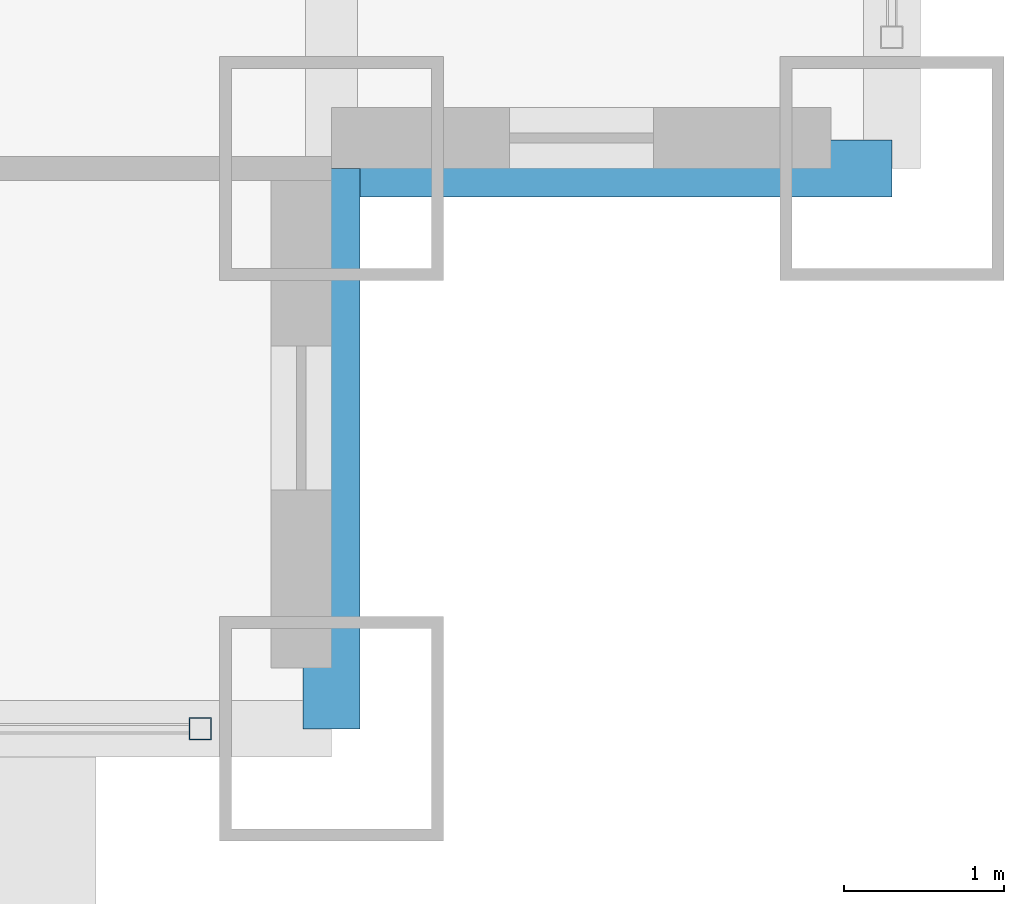
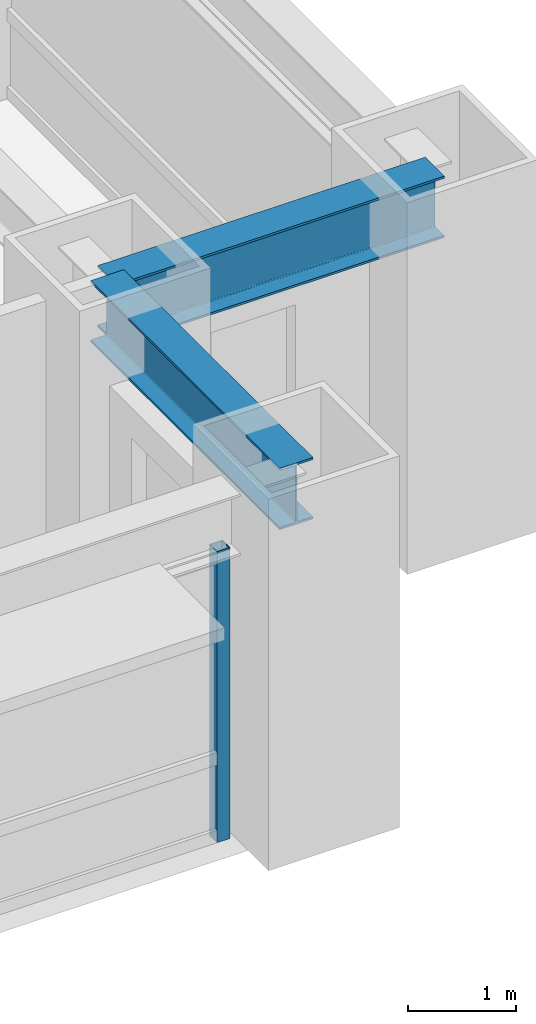
# One storey, part 6 of 32: 2 beams, 1 member, 1 element without a shape of its own.
"""IFC4 building model written with IfcOpenShell, lengths in metres."""

from ifc_helpers import new_model, si_unit, direction, frame, origin, origin_2d, place, context, subcontext, project, spatial, hollow_rectangle, i_section, extrude, source, transform, mapped, material, material_profile, profile_set, type_object, element, aggregate, save


model = new_model("IFC4")

# Units and contexts
model_context = context("Model", 3, precision=1e-05, world=origin(), true_north=direction((0.0, 1.0)))
body_context = subcontext(model_context, "Body", "Model", "MODEL_VIEW")
ifc_project = project(units=[si_unit("LENGTHUNIT", "METRE"), si_unit("AREAUNIT", "SQUARE_METRE"), si_unit("VOLUMEUNIT", "CUBIC_METRE"), si_unit("PLANEANGLEUNIT", "RADIAN"), si_unit("MASSUNIT", "GRAM", prefix="KILO")], contexts=[model_context])

# Site, building, storey
site_placement = place(None, origin())
site = spatial("IfcSite", under=ifc_project, at=site_placement, CompositionType="ELEMENT")
building_placement = place(site_placement, origin())
building = spatial("IfcBuilding", under=site, at=building_placement, Name="Khorayat Bourse Tower", CompositionType="ELEMENT")
storey_placement = place(building_placement, frame((0.0, 0.0, 78.800048828125)))
storey = spatial("IfcBuildingStorey", under=building, at=storey_placement, Name="L17", CompositionType="ELEMENT", Elevation=78.800048828125)

# Beams
ifc_material_1 = material(Name="Steel ASTM A992 Grade 50", Category="steel")
ifc_material_profile_1 = material_profile(ifc_material_1, i_section(OverallWidth=0.35498046875, OverallDepth=0.695068359375, WebThickness=0.015380859375, FlangeThickness=0.02490234375, FilletRadius=0.01806640625, at=origin_2d()), Name="W690X217")
ifc_profile_set_1 = profile_set([ifc_material_profile_1], Name="Steel ASTM A992 Grade 50")
beam_type = type_object("IfcBeamType", Name="BM-SPAN-690", PredefinedType="SPANDREL", material=ifc_profile_set_1)
shared_shape_1 = source(origin(), body_context, "Body", "SweptSolid", [
    extrude(i_section(OverallWidth=0.35498046875, OverallDepth=0.695068359375, WebThickness=0.015380859375, FlangeThickness=0.02490234375, FilletRadius=0.01806640625, at=origin_2d()), origin(), (0.0, 0.0, 1.0), 3.5),
])
for number, where, z_axis, x_axis, name in (
    (1, (28.5, -32.0, 3.592529296875), (0.0, 1.0, 0.0), (-1.0, 0.0, 0.0), "L17 BM-SPAN-690 BM-L17-SPN-032"),
    (2, (28.5, -28.5, 3.592529296875), (1.0, 0.0, 0.0), (0.0, 1.0, 0.0), "L17 BM-SPAN-690 BM-L17-SPN-033"),
):
    element("IfcBeam", number, at=place(storey_placement, frame(where, z_axis=z_axis, x_axis=x_axis)), inside=storey, type_object=beam_type, Name=name, PredefinedType="SPANDREL", context=body_context, shape_type="MappedRepresentation", body=[
        mapped(shared_shape_1, transform((0.0, 0.0, 0.0), scale=1.0)),
    ])

# Curtain wall, member
ifc_material_2 = material(Name="Aluminium EN AW-6063 T6", Category="aluminium")
curtain_wall_type = type_object("IfcCurtainWallType", Name="CW-SYS-02", PredefinedType="NOTDEFINED", material=ifc_material_2)
curtain_wall_placement = place(storey_placement, origin())
curtain_wall = element("IfcCurtainWall", 3, at=curtain_wall_placement, inside=storey, type_object=curtain_wall_type, Name="L17 Curtain Wall CW-L17-S1", PredefinedType="NOTDEFINED")
ifc_material_profile_2 = material_profile(ifc_material_2, hollow_rectangle(XDim=0.139892578125, YDim=0.139892578125, WallThickness=0.006103515625, at=origin_2d()), Name="ALU 140x140x6")
ifc_profile_set_2 = profile_set([ifc_material_profile_2], Name="Aluminium EN AW-6063 T6")
member_type = type_object("IfcMemberType", Name="CWM-VERT-140", PredefinedType="MULLION", material=ifc_profile_set_2)
shared_shape_2 = source(origin(), body_context, "Body", "SweptSolid", [
    extrude(hollow_rectangle(XDim=0.139892578125, YDim=0.139892578125, WallThickness=0.006103515625, at=origin_2d()), origin(), (0.0, 0.0, 1.0), 3.2900390625),
])
member_placement = place(storey_placement, frame((27.679931640625, -32.0, 0.0), z_axis=(0.0, 0.0, 1.0), x_axis=(0.0, 1.0, 0.0)))
member = element("IfcMember", 4, at=member_placement, type_object=member_type, Name="CW-L17-S1 Vertical Mullion 3", PredefinedType="MULLION", context=body_context, shape_type="MappedRepresentation", body=[
    mapped(shared_shape_2, transform((0.0, 0.0, 0.0), scale=1.0)),
])
aggregate(curtain_wall, [member])

save(model, "model.ifc")
